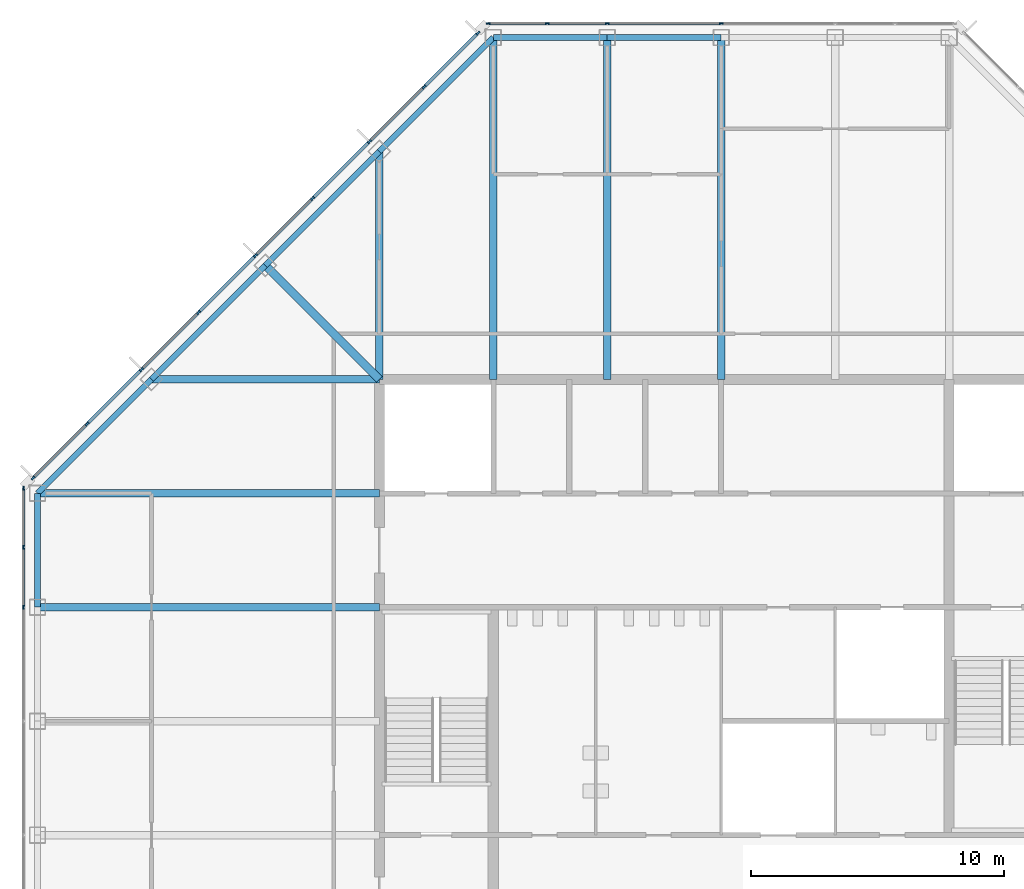
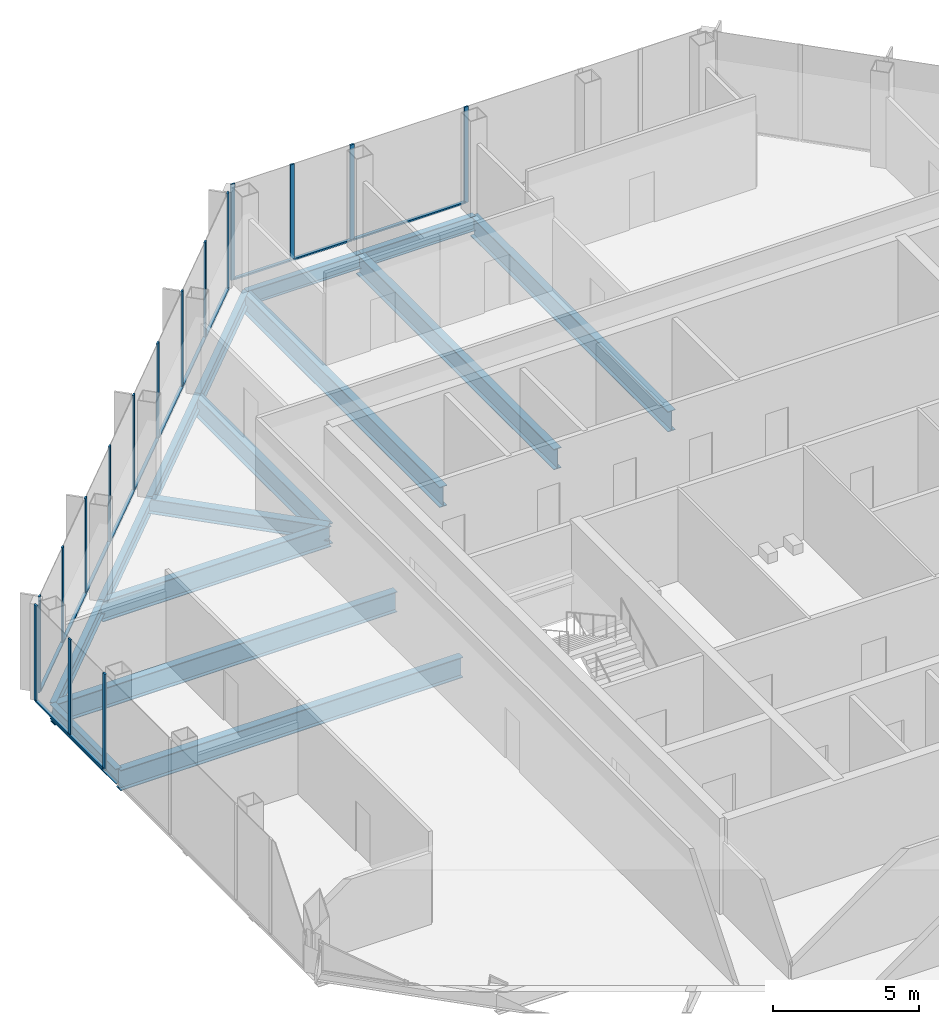
# One storey, part 6 of 13: 29 members, 15 beams, 3 elements without a shape of their own.
"""IFC4 building model written with IfcOpenShell, lengths in metres."""

import ifcopenshell
import ifcopenshell.guid

model = None  # the IFC model being written
_history = None  # IfcOwnerHistory: only IFC2X3 demands one
_inside = {}  # id of a spatial element -> (the spatial element, [elements in it])
_under = {}  # id of a project, library or spatial element -> (it, [spatial elements below it])
_declared = {}  # id of a project -> (the project, [libraries it declares])
_typed = {}  # id of a type object -> (the type object, [elements of that type])
_made_of = {}  # id of a material, layer set ... -> (it, [elements and type objects made of it])


def new_model(schema):
    """Start an empty IFC model of exactly this schema.

    Asked for "IFC4X3", IfcOpenShell would pick the latest addendum, in which some entities
    have other attributes; the version numbers below select the first issue.
    IFC2X3 requires an IfcOwnerHistory on every rooted entity: one is made here for all.
    """
    global model, _history
    if schema == "IFC4X3":
        model = ifcopenshell.file(schema_version=(4, 3, 0, 0))
    else:
        model = ifcopenshell.file(schema=schema)
    _inside.clear()
    _under.clear()
    _declared.clear()
    _typed.clear()
    _made_of.clear()
    _history = None
    if model.schema == "IFC2X3":
        org = make("IfcOrganization", Name="unknown")
        user = make(
            "IfcPersonAndOrganization",
            ThePerson=make("IfcPerson", FamilyName="unknown"),
            TheOrganization=org,
        )
        app = make(
            "IfcApplication",
            ApplicationDeveloper=org,
            Version="unknown",
            ApplicationFullName="unknown",
            ApplicationIdentifier="unknown",
        )
        _history = make(
            "IfcOwnerHistory",
            OwningUser=user,
            OwningApplication=app,
            ChangeAction="ADDED",
            CreationDate=0,
        )
    return model


def make(cls, **values):
    """One entity of the class cls with the attributes given. An attribute that is None is left unset."""
    return model.create_entity(
        cls, **{name: value for name, value in values.items() if value is not None}
    )


def rooted(cls, **values):
    """An entity with a GlobalId (a new one), such as an element, a storey or a relation."""
    return make(cls, GlobalId=ifcopenshell.guid.new(), OwnerHistory=_history, **values)


def si_unit(unit_type, name, prefix=None):
    """IfcSIUnit, for example si_unit("LENGTHUNIT", "METRE", prefix="MILLI")."""
    return make("IfcSIUnit", UnitType=unit_type, Prefix=prefix, Name=name)


def assignment(units):
    """IfcUnitAssignment: the units of a project."""
    return None if units is None else make("IfcUnitAssignment", Units=units)


def point(xyz):
    """IfcCartesianPoint."""
    return None if xyz is None else make("IfcCartesianPoint", Coordinates=xyz)


def direction(xyz):
    """IfcDirection."""
    return None if xyz is None else make("IfcDirection", DirectionRatios=xyz)


def frame(location, z_axis=None, x_axis=None):
    """IfcAxis2Placement3D, a coordinate frame: its origin and axes. An axis left out is left unset."""
    return make(
        "IfcAxis2Placement3D",
        Location=point(location),
        Axis=direction(z_axis),
        RefDirection=direction(x_axis),
    )


def frame_2d(location, x_axis=None):
    """IfcAxis2Placement2D, a coordinate frame in the plane: its origin and x axis."""
    return make(
        "IfcAxis2Placement2D", Location=point(location), RefDirection=direction(x_axis)
    )


def origin():
    """The frame at (0, 0, 0) with its axes left unset."""
    return frame((0.0, 0.0, 0.0))


def origin_2d():
    """The frame at (0, 0) in the plane with its x axis left unset."""
    return frame_2d((0.0, 0.0))


def place(relative_to, where):
    """IfcLocalPlacement: puts the frame where relative to a parent placement (None: the world)."""
    return make(
        "IfcLocalPlacement", PlacementRelTo=relative_to, RelativePlacement=where
    )


def context(
    kind, dimensions, precision=None, world=None, true_north=None, identifier=None
):
    """IfcGeometricRepresentationContext, for example the 3D "Model" context."""
    return make(
        "IfcGeometricRepresentationContext",
        ContextIdentifier=identifier,
        ContextType=kind,
        CoordinateSpaceDimension=dimensions,
        Precision=precision,
        WorldCoordinateSystem=world,
        TrueNorth=true_north,
    )


def subcontext(parent, identifier, kind, view, scale=None):
    """IfcGeometricRepresentationSubContext, for example "Body" below "Model"."""
    return make(
        "IfcGeometricRepresentationSubContext",
        ContextIdentifier=identifier,
        ContextType=kind,
        ParentContext=parent,
        TargetScale=scale,
        TargetView=view,
    )


def project(units=None, contexts=None):
    """IfcProject with its units and contexts."""
    return rooted(
        "IfcProject",
        Name="project",
        RepresentationContexts=contexts,
        UnitsInContext=assignment(units),
    )


def spatial(cls, under=None, at=None, **own):
    """A site, building, storey or space (cls), placed at a placement, below another one or the project."""
    s = rooted(cls, ObjectPlacement=at, **own)
    if under is not None:
        _under.setdefault(under.id(), (under, []))[1].append(s)
    return s


def profile(cls, at=None, kind="AREA", **sizes):
    """A parametric profile (cls). Its sizes go by their IFC names, for example OverallWidth=200.0."""
    return make(cls, ProfileType=kind, Position=at, **sizes)


def rectangle(**sizes):
    """IfcRectangleProfileDef."""
    return profile("IfcRectangleProfileDef", **sizes)


def i_section(**sizes):
    """IfcIShapeProfileDef."""
    return profile("IfcIShapeProfileDef", **sizes)


def extrude(swept, where, along, depth):
    """IfcExtrudedAreaSolid: the profile swept, set in the frame where, extruded along a direction by depth."""
    return make(
        "IfcExtrudedAreaSolid",
        SweptArea=swept,
        Position=where,
        ExtrudedDirection=direction(along),
        Depth=depth,
    )


def shape(context_of_items, identifier, shape_type, items):
    """IfcShapeRepresentation: the items that make up one representation, for example the "Body"."""
    return make(
        "IfcShapeRepresentation",
        ContextOfItems=context_of_items,
        RepresentationIdentifier=identifier,
        RepresentationType=shape_type,
        Items=items,
    )


def material(Name=None, Category=None):
    """IfcMaterial."""
    return make("IfcMaterial", Name=Name, Category=Category)


def material_profile(
    of_material, cross_section, Name=None, Category=None, Priority=None
):
    """IfcMaterialProfile: a cross section and its material."""
    return make(
        "IfcMaterialProfile",
        Name=Name,
        Material=of_material,
        Profile=cross_section,
        Priority=Priority,
        Category=Category,
    )


def profile_set(profiles, Name=None, composite=None):
    """IfcMaterialProfileSet."""
    return make(
        "IfcMaterialProfileSet",
        Name=Name,
        MaterialProfiles=profiles,
        CompositeProfile=composite,
    )


def made_of(thing, what):
    """Note that an element or type object is made of a material, layer set ...; save() writes the relation."""
    if what is not None:
        _made_of.setdefault(what.id(), (what, []))[1].append(thing)
    return thing


def type_object(cls, material=None, **own):
    """A type object (cls), such as IfcWallType, which elements share."""
    return made_of(rooted(cls, **own), material)


def element(
    cls,
    number,
    at=None,
    inside=None,
    cuts=None,
    type_object=None,
    material=None,
    context=None,
    identifier="Body",
    shape_type=None,
    held_by="IfcProductDefinitionShape",
    body=None,
    shapes=None,
    **own,
):
    """One element of the class cls, such as IfcWall. Its Tag is "e" and its number.

    at: its placement. inside: the storey or other place that contains it. cuts: it is an
    opening in that element (IfcRelVoidsElement). A single representation is given by context,
    identifier, shape_type and body (its items); several are given by shapes. held_by: the class
    of the entity that holds the representations. save() writes the other relations.
    """
    e = rooted(cls, Tag="e%d" % number, ObjectPlacement=at, **own)
    if body is not None:
        shapes = [shape(context, identifier, shape_type, body)]
    if shapes is not None:
        e.Representation = make(held_by, Representations=shapes)
    if inside is not None:
        _inside.setdefault(inside.id(), (inside, []))[1].append(e)
    if cuts is not None:
        rooted(
            "IfcRelVoidsElement", RelatingBuildingElement=cuts, RelatedOpeningElement=e
        )
    if type_object is not None:
        _typed.setdefault(type_object.id(), (type_object, []))[1].append(e)
    return made_of(e, material)


def aggregate(whole, parts):
    """IfcRelAggregates: a whole, such as a stair, and the parts it consists of."""
    return rooted("IfcRelAggregates", RelatingObject=whole, RelatedObjects=parts)


def save(model, path):
    """Write the relations noted so far, then the file.

    IfcRelAggregates (storeys below a building ...), IfcRelContainedInSpatialStructure (elements
    in a storey), IfcRelDefinesByType, IfcRelAssociatesMaterial and IfcRelDeclares: one each for
    every whole, place, type object, material and project.
    """
    for whole, parts in _under.values():
        aggregate(whole, parts)
    for where, things in _inside.values():
        rooted(
            "IfcRelContainedInSpatialStructure",
            RelatedElements=things,
            RelatingStructure=where,
        )
    for kind, things in _typed.values():
        rooted("IfcRelDefinesByType", RelatedObjects=things, RelatingType=kind)
    for what, things in _made_of.values():
        rooted("IfcRelAssociatesMaterial", RelatedObjects=things, RelatingMaterial=what)
    for by, libraries in _declared.values():
        rooted("IfcRelDeclares", RelatingContext=by, RelatedDefinitions=libraries)
    model.write(path)


model = new_model("IFC4")

# Units and contexts
model_context = context("Model", 3, precision=1e-05, world=origin(), true_north=direction((0.0, 1.0)))
body_context = subcontext(model_context, "Body", "Model", "MODEL_VIEW")
ifc_project = project(units=[si_unit("LENGTHUNIT", "METRE"), si_unit("AREAUNIT", "SQUARE_METRE"), si_unit("VOLUMEUNIT", "CUBIC_METRE"), si_unit("PLANEANGLEUNIT", "RADIAN"), si_unit("MASSUNIT", "GRAM", prefix="KILO")], contexts=[model_context])

# Site, building, storey
site_placement = place(None, origin())
site = spatial("IfcSite", under=ifc_project, at=site_placement, CompositionType="ELEMENT")
building_placement = place(site_placement, origin())
building = spatial("IfcBuilding", under=site, at=building_placement, Name="Corais Broadcast Tower", CompositionType="ELEMENT")
storey_placement = place(building_placement, frame((0.0, 0.0, 226.60009765625)))
storey = spatial("IfcBuildingStorey", under=building, at=storey_placement, Name="L52", CompositionType="ELEMENT", Elevation=226.60009765625)

# Beams
ifc_material_1 = material(Name="Steel ASTM A572 Grade 50", Category="steel")
ifc_material_profile_1 = material_profile(ifc_material_1, i_section(OverallWidth=0.323974609375, OverallDepth=0.611083984375, WebThickness=0.0126953125, FlangeThickness=0.01904296875, at=origin_2d()), Name="W610x155")
ifc_profile_set_1 = profile_set([ifc_material_profile_1], Name="Steel ASTM A572 Grade 50")
beam_type_1 = type_object("IfcBeamType", Name="Corner diagonal W610x155", PredefinedType="BEAM", material=ifc_profile_set_1)
beam_1_placement = place(storey_placement, frame((9.0, 45.0, -0.465576171875), z_axis=(0.707106781187, -0.707106781187, 0.0), x_axis=(0.707106781187, 0.707106781187, 0.0)))
element("IfcBeam", 1, at=beam_1_placement, inside=storey, type_object=beam_type_1, Name="B6 L/5 to K/6", PredefinedType="BEAM", context=body_context, shape_type="SweptSolid", body=[
    extrude(i_section(OverallWidth=0.323974609375, OverallDepth=0.611083984375, WebThickness=0.0126953125, FlangeThickness=0.01904296875, at=origin_2d()), origin(), (0.0, 0.0, 1.0), 6.364013671875),
])
ifc_material_2 = material(Name="Steel ASTM A572 Grade 50", Category="steel")
ifc_material_profile_2 = material_profile(ifc_material_2, i_section(OverallWidth=0.2939453125, OverallDepth=0.85107421875, WebThickness=0.01611328125, FlangeThickness=0.02685546875, at=origin_2d()), Name="W840x226")
ifc_profile_set_2 = profile_set([ifc_material_profile_2], Name="Steel ASTM A572 Grade 50")
beam_type_2 = type_object("IfcBeamType", Name="Floor beam W840x226", PredefinedType="BEAM", material=ifc_profile_set_2)
for number, where, z_axis, x_axis, name in (
    (2, (0.0, 31.5, -0.585693359375), (1.0, 0.0, 0.0), (0.0, 1.0, 0.0), "B1 H/3 to H/6"),
    (3, (0.0, 36.0, -0.585693359375), (1.0, 0.0, 0.0), (0.0, 1.0, 0.0), "B1 J/3 to J/6"),
):
    element("IfcBeam", number, at=place(storey_placement, frame(where, z_axis=z_axis, x_axis=x_axis)), inside=storey, type_object=beam_type_2, Name=name, PredefinedType="BEAM", context=body_context, shape_type="SweptSolid", body=[
        extrude(i_section(OverallWidth=0.2939453125, OverallDepth=0.85107421875, WebThickness=0.01611328125, FlangeThickness=0.02685546875, at=origin_2d()), origin(), (0.0, 0.0, 1.0), 13.5),
    ])
beam_2_placement = place(storey_placement, frame((13.5, 49.5, -0.585693359375), z_axis=(0.0, -1.0, 0.0), x_axis=(1.0, 0.0, 0.0)))
element("IfcBeam", 4, at=beam_2_placement, inside=storey, type_object=beam_type_2, Name="B1 M/6 to K/6", PredefinedType="BEAM", context=body_context, shape_type="SweptSolid", body=[
    extrude(i_section(OverallWidth=0.2939453125, OverallDepth=0.85107421875, WebThickness=0.01611328125, FlangeThickness=0.02685546875, at=origin_2d()), origin(), (0.0, 0.0, 1.0), 9.0),
])
for number, where, z_axis, x_axis, name in (
    (5, (18.0, 54.0, -0.585693359375), (0.0, -1.0, 0.0), (1.0, 0.0, 0.0), "B1 N/7 to K/7"),
    (6, (22.5, 54.0, -0.585693359375), (0.0, -1.0, 0.0), (1.0, 0.0, 0.0), "B1 N/8 to K/8"),
    (7, (27.0, 54.0, -0.585693359375), (0.0, -1.0, 0.0), (1.0, 0.0, 0.0), "B1 N/9 to K/9"),
):
    element("IfcBeam", number, at=place(storey_placement, frame(where, z_axis=z_axis, x_axis=x_axis)), inside=storey, type_object=beam_type_2, Name=name, PredefinedType="BEAM", context=body_context, shape_type="SweptSolid", body=[
        extrude(i_section(OverallWidth=0.2939453125, OverallDepth=0.85107421875, WebThickness=0.01611328125, FlangeThickness=0.02685546875, at=origin_2d()), origin(), (0.0, 0.0, 1.0), 13.5),
    ])
beam_3_placement = place(storey_placement, frame((4.5, 40.5, -0.585693359375), z_axis=(1.0, 0.0, 0.0), x_axis=(0.0, 1.0, 0.0)))
element("IfcBeam", 8, at=beam_3_placement, inside=storey, type_object=beam_type_2, Name="B1 K/4 to K/6", PredefinedType="BEAM", context=body_context, shape_type="SweptSolid", body=[
    extrude(i_section(OverallWidth=0.2939453125, OverallDepth=0.85107421875, WebThickness=0.01611328125, FlangeThickness=0.02685546875, at=origin_2d()), origin(), (0.0, 0.0, 1.0), 9.0),
])

# Curtain wall, members
ifc_material_3 = material(Name="Aluminium and glass", Category="aluminium")
curtain_wall_type = type_object("IfcCurtainWallType", Name="Unitised fritted curtain wall CW3", PredefinedType="NOTDEFINED", material=ifc_material_3)
curtain_wall_1_placement = place(storey_placement, origin())
curtain_wall_1 = element("IfcCurtainWall", 9, at=curtain_wall_1_placement, inside=storey, type_object=curtain_wall_type, Name="CW3 curtain wall L52 2", PredefinedType="NOTDEFINED")
ifc_material_4 = material(Name="Aluminium 6063-T6", Category="aluminium")
ifc_material_profile_3 = material_profile(ifc_material_4, rectangle(XDim=0.06494140625, YDim=0.159912109375, at=origin_2d()), Name="Mullion CW3 65x160")
ifc_profile_set_3 = profile_set([ifc_material_profile_3], Name="Aluminium 6063-T6")
member_type_1 = type_object("IfcMemberType", Name="Mullion CW3 65x160", PredefinedType="MULLION", material=ifc_profile_set_3)
member_1_placement = place(storey_placement, frame((-0.550048828125, 31.5, 0.0), z_axis=(0.0, 0.0, 1.0), x_axis=(-1.0, 0.0, 0.0)))
member_1 = element("IfcMember", 10, at=member_1_placement, type_object=member_type_1, Name="CW3 mullion 5", PredefinedType="MULLION", context=body_context, shape_type="SweptSolid", body=[
    extrude(rectangle(XDim=0.06494140625, YDim=0.159912109375, at=origin_2d()), origin(), (0.0, 0.0, 1.0), 4.0),
])
member_2_placement = place(storey_placement, frame((-0.550048828125, 33.864013671875, 0.0), z_axis=(0.0, 0.0, 1.0), x_axis=(-1.0, 0.0, 0.0)))
member_2 = element("IfcMember", 11, at=member_2_placement, type_object=member_type_1, Name="CW3 mullion 6", PredefinedType="MULLION", context=body_context, shape_type="SweptSolid", body=[
    extrude(rectangle(XDim=0.06494140625, YDim=0.159912109375, at=origin_2d()), origin(), (0.0, 0.0, 1.0), 4.0),
])
member_3_placement = place(storey_placement, frame((-0.550048828125, 36.1953125, 0.0), z_axis=(0.0, 0.0, 1.0), x_axis=(-1.0, 0.0, 0.0)))
member_3 = element("IfcMember", 12, at=member_3_placement, type_object=member_type_1, Name="CW3 mullion 7", PredefinedType="MULLION", context=body_context, shape_type="SweptSolid", body=[
    extrude(rectangle(XDim=0.06494140625, YDim=0.159912109375, at=origin_2d()), origin(), (0.0, 0.0, 1.0), 4.0),
])

curtain_wall_2_placement = place(storey_placement, origin())
curtain_wall_2 = element("IfcCurtainWall", 13, at=curtain_wall_2_placement, inside=storey, type_object=curtain_wall_type, Name="CW3 curtain wall L52 3", PredefinedType="NOTDEFINED")
member_4_placement = place(storey_placement, frame((-0.17333984375, 36.6044921875, 0.0), z_axis=(0.0, 0.0, 1.0), x_axis=(-0.707106781187, 0.707106781187, 0.0)))
member_4 = element("IfcMember", 14, at=member_4_placement, type_object=member_type_1, Name="CW3 mullion 1", PredefinedType="MULLION", context=body_context, shape_type="SweptSolid", body=[
    extrude(rectangle(XDim=0.06494140625, YDim=0.159912109375, at=origin_2d()), origin(), (0.0, 0.0, 1.0), 4.0),
])
member_5_placement = place(storey_placement, frame((1.957275390625, 38.735107421875, 0.0), z_axis=(0.0, 0.0, 1.0), x_axis=(-0.707106781187, 0.707106781187, 0.0)))
member_5 = element("IfcMember", 15, at=member_5_placement, type_object=member_type_1, Name="CW3 mullion 2", PredefinedType="MULLION", context=body_context, shape_type="SweptSolid", body=[
    extrude(rectangle(XDim=0.06494140625, YDim=0.159912109375, at=origin_2d()), origin(), (0.0, 0.0, 1.0), 4.0),
])
member_6_placement = place(storey_placement, frame((4.111083984375, 40.888916015625, 0.0), z_axis=(0.0, 0.0, 1.0), x_axis=(-0.707106781187, 0.707106781187, 0.0)))
member_6 = element("IfcMember", 16, at=member_6_placement, type_object=member_type_1, Name="CW3 mullion 3", PredefinedType="MULLION", context=body_context, shape_type="SweptSolid", body=[
    extrude(rectangle(XDim=0.06494140625, YDim=0.159912109375, at=origin_2d()), origin(), (0.0, 0.0, 1.0), 4.0),
])
member_7_placement = place(storey_placement, frame((6.361083984375, 43.138916015625, 0.0), z_axis=(0.0, 0.0, 1.0), x_axis=(-0.707106781187, 0.707106781187, 0.0)))
member_7 = element("IfcMember", 17, at=member_7_placement, type_object=member_type_1, Name="CW3 mullion 4", PredefinedType="MULLION", context=body_context, shape_type="SweptSolid", body=[
    extrude(rectangle(XDim=0.06494140625, YDim=0.159912109375, at=origin_2d()), origin(), (0.0, 0.0, 1.0), 4.0),
])
member_8_placement = place(storey_placement, frame((8.611083984375, 45.388916015625, 0.0), z_axis=(0.0, 0.0, 1.0), x_axis=(-0.707106781187, 0.707106781187, 0.0)))
member_8 = element("IfcMember", 18, at=member_8_placement, type_object=member_type_1, Name="CW3 mullion 5", PredefinedType="MULLION", context=body_context, shape_type="SweptSolid", body=[
    extrude(rectangle(XDim=0.06494140625, YDim=0.159912109375, at=origin_2d()), origin(), (0.0, 0.0, 1.0), 4.0),
])
member_9_placement = place(storey_placement, frame((10.861083984375, 47.638916015625, 0.0), z_axis=(0.0, 0.0, 1.0), x_axis=(-0.707106781187, 0.707106781187, 0.0)))
member_9 = element("IfcMember", 19, at=member_9_placement, type_object=member_type_1, Name="CW3 mullion 6", PredefinedType="MULLION", context=body_context, shape_type="SweptSolid", body=[
    extrude(rectangle(XDim=0.06494140625, YDim=0.159912109375, at=origin_2d()), origin(), (0.0, 0.0, 1.0), 4.0),
])
member_10_placement = place(storey_placement, frame((13.111083984375, 49.888916015625, 0.0), z_axis=(0.0, 0.0, 1.0), x_axis=(-0.707106781187, 0.707106781187, 0.0)))
member_10 = element("IfcMember", 20, at=member_10_placement, type_object=member_type_1, Name="CW3 mullion 7", PredefinedType="MULLION", context=body_context, shape_type="SweptSolid", body=[
    extrude(rectangle(XDim=0.06494140625, YDim=0.159912109375, at=origin_2d()), origin(), (0.0, 0.0, 1.0), 4.0),
])
member_11_placement = place(storey_placement, frame((15.264892578125, 52.042724609375, 0.0), z_axis=(0.0, 0.0, 1.0), x_axis=(-0.707106781187, 0.707106781187, 0.0)))
member_11 = element("IfcMember", 21, at=member_11_placement, type_object=member_type_1, Name="CW3 mullion 8", PredefinedType="MULLION", context=body_context, shape_type="SweptSolid", body=[
    extrude(rectangle(XDim=0.06494140625, YDim=0.159912109375, at=origin_2d()), origin(), (0.0, 0.0, 1.0), 4.0),
])
member_12_placement = place(storey_placement, frame((17.3955078125, 54.17333984375, 0.0), z_axis=(0.0, 0.0, 1.0), x_axis=(-0.707106781187, 0.707106781187, 0.0)))
member_12 = element("IfcMember", 22, at=member_12_placement, type_object=member_type_1, Name="CW3 mullion 9", PredefinedType="MULLION", context=body_context, shape_type="SweptSolid", body=[
    extrude(rectangle(XDim=0.06494140625, YDim=0.159912109375, at=origin_2d()), origin(), (0.0, 0.0, 1.0), 4.0),
])

curtain_wall_3_placement = place(storey_placement, origin())
curtain_wall_3 = element("IfcCurtainWall", 23, at=curtain_wall_3_placement, inside=storey, type_object=curtain_wall_type, Name="CW3 curtain wall L52 4", PredefinedType="NOTDEFINED")
member_13_placement = place(storey_placement, frame((17.8046875, 54.550048828125, 0.0), z_axis=(0.0, 0.0, 1.0), x_axis=(0.0, 1.0, 0.0)))
member_13 = element("IfcMember", 24, at=member_13_placement, type_object=member_type_1, Name="CW3 mullion 1", PredefinedType="MULLION", context=body_context, shape_type="SweptSolid", body=[
    extrude(rectangle(XDim=0.06494140625, YDim=0.159912109375, at=origin_2d()), origin(), (0.0, 0.0, 1.0), 4.0),
])
member_14_placement = place(storey_placement, frame((20.135986328125, 54.550048828125, 0.0), z_axis=(0.0, 0.0, 1.0), x_axis=(0.0, 1.0, 0.0)))
member_14 = element("IfcMember", 25, at=member_14_placement, type_object=member_type_1, Name="CW3 mullion 2", PredefinedType="MULLION", context=body_context, shape_type="SweptSolid", body=[
    extrude(rectangle(XDim=0.06494140625, YDim=0.159912109375, at=origin_2d()), origin(), (0.0, 0.0, 1.0), 4.0),
])
member_15_placement = place(storey_placement, frame((22.5, 54.550048828125, 0.0), z_axis=(0.0, 0.0, 1.0), x_axis=(0.0, 1.0, 0.0)))
member_15 = element("IfcMember", 26, at=member_15_placement, type_object=member_type_1, Name="CW3 mullion 3", PredefinedType="MULLION", context=body_context, shape_type="SweptSolid", body=[
    extrude(rectangle(XDim=0.06494140625, YDim=0.159912109375, at=origin_2d()), origin(), (0.0, 0.0, 1.0), 4.0),
])
member_16_placement = place(storey_placement, frame((27.0, 54.550048828125, 0.0), z_axis=(0.0, 0.0, 1.0), x_axis=(0.0, 1.0, 0.0)))
member_16 = element("IfcMember", 27, at=member_16_placement, type_object=member_type_1, Name="CW3 mullion 4", PredefinedType="MULLION", context=body_context, shape_type="SweptSolid", body=[
    extrude(rectangle(XDim=0.06494140625, YDim=0.159912109375, at=origin_2d()), origin(), (0.0, 0.0, 1.0), 4.0),
])

# Beams
ifc_material_5 = material(Name="Steel ASTM A572 Grade 50", Category="steel")
ifc_material_profile_4 = material_profile(ifc_material_5, i_section(OverallWidth=0.22998046875, OverallDepth=0.616943359375, WebThickness=0.01318359375, FlangeThickness=0.022216796875, at=origin_2d()), Name="W610x140")
ifc_profile_set_4 = profile_set([ifc_material_profile_4], Name="Steel ASTM A572 Grade 50")
beam_type_3 = type_object("IfcBeamType", Name="Spandrel W610x140", PredefinedType="BEAM", material=ifc_profile_set_4)
beam_4_placement = place(storey_placement, frame((0.0, 36.0, -0.468505859375), z_axis=(0.0, -1.0, 0.0), x_axis=(1.0, 0.0, 0.0)))
element("IfcBeam", 28, at=beam_4_placement, inside=storey, type_object=beam_type_3, Name="SB3 J/3 to H/3", PredefinedType="BEAM", context=body_context, shape_type="SweptSolid", body=[
    extrude(i_section(OverallWidth=0.22998046875, OverallDepth=0.616943359375, WebThickness=0.01318359375, FlangeThickness=0.022216796875, at=origin_2d()), origin(), (0.0, 0.0, 1.0), 4.5),
])
for number, where, z_axis, x_axis, name in (
    (29, (13.5, 49.5, -0.468505859375), (-0.707106781187, -0.707106781187, 0.0), (0.707106781187, -0.707106781187, 0.0), "SB3 M/6 to L/5"),
    (30, (18.0, 54.0, -0.468505859375), (-0.707106781187, -0.707106781187, 0.0), (0.707106781187, -0.707106781187, 0.0), "SB3 N/7 to M/6"),
):
    element("IfcBeam", number, at=place(storey_placement, frame(where, z_axis=z_axis, x_axis=x_axis)), inside=storey, type_object=beam_type_3, Name=name, PredefinedType="BEAM", context=body_context, shape_type="SweptSolid", body=[
        extrude(i_section(OverallWidth=0.22998046875, OverallDepth=0.616943359375, WebThickness=0.01318359375, FlangeThickness=0.022216796875, at=origin_2d()), origin(), (0.0, 0.0, 1.0), 6.364013671875),
    ])
for number, where, z_axis, x_axis, name in (
    (31, (22.5, 54.0, -0.468505859375), (-1.0, 0.0, 0.0), (0.0, -1.0, 0.0), "SB3 N/8 to N/7"),
    (32, (27.0, 54.0, -0.468505859375), (-1.0, 0.0, 0.0), (0.0, -1.0, 0.0), "SB3 N/9 to N/8"),
):
    element("IfcBeam", number, at=place(storey_placement, frame(where, z_axis=z_axis, x_axis=x_axis)), inside=storey, type_object=beam_type_3, Name=name, PredefinedType="BEAM", context=body_context, shape_type="SweptSolid", body=[
        extrude(i_section(OverallWidth=0.22998046875, OverallDepth=0.616943359375, WebThickness=0.01318359375, FlangeThickness=0.022216796875, at=origin_2d()), origin(), (0.0, 0.0, 1.0), 4.5),
    ])
for number, where, z_axis, x_axis, name in (
    (33, (4.5, 40.5, -0.468505859375), (-0.707106781187, -0.707106781187, 0.0), (0.707106781187, -0.707106781187, 0.0), "SB3 K/4 to J/3"),
    (34, (9.0, 45.0, -0.468505859375), (-0.707106781187, -0.707106781187, 0.0), (0.707106781187, -0.707106781187, 0.0), "SB3 L/5 to K/4"),
):
    element("IfcBeam", number, at=place(storey_placement, frame(where, z_axis=z_axis, x_axis=x_axis)), inside=storey, type_object=beam_type_3, Name=name, PredefinedType="BEAM", context=body_context, shape_type="SweptSolid", body=[
        extrude(i_section(OverallWidth=0.22998046875, OverallDepth=0.616943359375, WebThickness=0.01318359375, FlangeThickness=0.022216796875, at=origin_2d()), origin(), (0.0, 0.0, 1.0), 6.364013671875),
    ])

# Member
ifc_material_6 = material(Name="Aluminium 6063-T6", Category="aluminium")
ifc_material_profile_5 = material_profile(ifc_material_6, rectangle(XDim=0.1201171875, YDim=0.06494140625, at=origin_2d()), Name="Transom CW3 65x120")
ifc_profile_set_5 = profile_set([ifc_material_profile_5], Name="Aluminium 6063-T6")
member_type_2 = type_object("IfcMemberType", Name="Transom CW3 65x120", PredefinedType="USERDEFINED", material=ifc_profile_set_5)
member_17_placement = place(storey_placement, frame((-0.550048828125, 31.532470703125, 0.032470703125), z_axis=(0.0, 1.0, 0.0), x_axis=(-1.0, 0.0, 0.0)))
member_17 = element("IfcMember", 35, at=member_17_placement, type_object=member_type_2, Name="CW3 transom 5.1", ObjectType="TRANSOM", PredefinedType="USERDEFINED", context=body_context, shape_type="SweptSolid", body=[
    extrude(rectangle(XDim=0.1201171875, YDim=0.06494140625, at=origin_2d()), origin(), (0.0, 0.0, 1.0), 2.298828125),
])

member_18_placement = place(storey_placement, frame((-0.550048828125, 33.896484375, 0.032470703125), z_axis=(0.0, 1.0, 0.0), x_axis=(-1.0, 0.0, 0.0)))
member_18 = element("IfcMember", 36, at=member_18_placement, type_object=member_type_2, Name="CW3 transom 6.1", ObjectType="TRANSOM", PredefinedType="USERDEFINED", context=body_context, shape_type="SweptSolid", body=[
    extrude(rectangle(XDim=0.1201171875, YDim=0.06494140625, at=origin_2d()), origin(), (0.0, 0.0, 1.0), 2.266357421875),
])

aggregate(curtain_wall_1, [member_1, member_2, member_3, member_17, member_18])

member_19_placement = place(storey_placement, frame((-0.150390625, 36.62744140625, 0.032470703125), z_axis=(0.707106781187, 0.707106781187, 0.0), x_axis=(-0.707106781187, 0.707106781187, 0.0)))
member_19 = element("IfcMember", 37, at=member_19_placement, type_object=member_type_2, Name="CW3 transom 1.1", ObjectType="TRANSOM", PredefinedType="USERDEFINED", context=body_context, shape_type="SweptSolid", body=[
    extrude(rectangle(XDim=0.1201171875, YDim=0.06494140625, at=origin_2d()), origin(), (0.0, 0.0, 1.0), 2.9482421875),
])

member_20_placement = place(storey_placement, frame((1.980224609375, 38.758056640625, 0.032470703125), z_axis=(0.707106781187, 0.707106781187, 0.0), x_axis=(-0.707106781187, 0.707106781187, 0.0)))
member_20 = element("IfcMember", 38, at=member_20_placement, type_object=member_type_2, Name="CW3 transom 2.1", ObjectType="TRANSOM", PredefinedType="USERDEFINED", context=body_context, shape_type="SweptSolid", body=[
    extrude(rectangle(XDim=0.1201171875, YDim=0.06494140625, at=origin_2d()), origin(), (0.0, 0.0, 1.0), 2.98095703125),
])

member_21_placement = place(storey_placement, frame((4.134033203125, 40.911865234375, 0.032470703125), z_axis=(0.707106781187, 0.707106781187, 0.0), x_axis=(-0.707106781187, 0.707106781187, 0.0)))
member_21 = element("IfcMember", 39, at=member_21_placement, type_object=member_type_2, Name="CW3 transom 3.1", ObjectType="TRANSOM", PredefinedType="USERDEFINED", context=body_context, shape_type="SweptSolid", body=[
    extrude(rectangle(XDim=0.1201171875, YDim=0.06494140625, at=origin_2d()), origin(), (0.0, 0.0, 1.0), 3.1171875),
])

member_22_placement = place(storey_placement, frame((6.384033203125, 43.161865234375, 0.032470703125), z_axis=(0.707106781187, 0.707106781187, 0.0), x_axis=(-0.707106781187, 0.707106781187, 0.0)))
member_22 = element("IfcMember", 40, at=member_22_placement, type_object=member_type_2, Name="CW3 transom 4.1", ObjectType="TRANSOM", PredefinedType="USERDEFINED", context=body_context, shape_type="SweptSolid", body=[
    extrude(rectangle(XDim=0.1201171875, YDim=0.06494140625, at=origin_2d()), origin(), (0.0, 0.0, 1.0), 3.1171875),
])

member_23_placement = place(storey_placement, frame((8.634033203125, 45.411865234375, 0.032470703125), z_axis=(0.707106781187, 0.707106781187, 0.0), x_axis=(-0.707106781187, 0.707106781187, 0.0)))
member_23 = element("IfcMember", 41, at=member_23_placement, type_object=member_type_2, Name="CW3 transom 5.1", ObjectType="TRANSOM", PredefinedType="USERDEFINED", context=body_context, shape_type="SweptSolid", body=[
    extrude(rectangle(XDim=0.1201171875, YDim=0.06494140625, at=origin_2d()), origin(), (0.0, 0.0, 1.0), 3.1171875),
])

member_24_placement = place(storey_placement, frame((10.884033203125, 47.661865234375, 0.032470703125), z_axis=(0.707106781187, 0.707106781187, 0.0), x_axis=(-0.707106781187, 0.707106781187, 0.0)))
member_24 = element("IfcMember", 42, at=member_24_placement, type_object=member_type_2, Name="CW3 transom 6.1", ObjectType="TRANSOM", PredefinedType="USERDEFINED", context=body_context, shape_type="SweptSolid", body=[
    extrude(rectangle(XDim=0.1201171875, YDim=0.06494140625, at=origin_2d()), origin(), (0.0, 0.0, 1.0), 3.1171875),
])

member_25_placement = place(storey_placement, frame((13.134033203125, 49.911865234375, 0.032470703125), z_axis=(0.70714773134, 0.707065828661, 0.0), x_axis=(-0.707065828661, 0.70714773134, 0.0)))
member_25 = element("IfcMember", 43, at=member_25_placement, type_object=member_type_2, Name="CW3 transom 7.1", ObjectType="TRANSOM", PredefinedType="USERDEFINED", context=body_context, shape_type="SweptSolid", body=[
    extrude(rectangle(XDim=0.1201171875, YDim=0.06494140625, at=origin_2d()), origin(), (0.0, 0.0, 1.0), 2.98095703125),
])

member_26_placement = place(storey_placement, frame((15.287841796875, 52.065673828125, 0.032470703125), z_axis=(0.707106781187, 0.707106781187, 0.0), x_axis=(-0.707106781187, 0.707106781187, 0.0)))
member_26 = element("IfcMember", 44, at=member_26_placement, type_object=member_type_2, Name="CW3 transom 8.1", ObjectType="TRANSOM", PredefinedType="USERDEFINED", context=body_context, shape_type="SweptSolid", body=[
    extrude(rectangle(XDim=0.1201171875, YDim=0.06494140625, at=origin_2d()), origin(), (0.0, 0.0, 1.0), 2.9482421875),
])

aggregate(curtain_wall_2, [member_4, member_5, member_6, member_7, member_8, member_9, member_10, member_11, member_12, member_19, member_20, member_21, member_22, member_23, member_24, member_25, member_26])

member_27_placement = place(storey_placement, frame((17.837158203125, 54.550048828125, 0.032470703125), z_axis=(1.0, 0.0, 0.0), x_axis=(0.0, 1.0, 0.0)))
member_27 = element("IfcMember", 45, at=member_27_placement, type_object=member_type_2, Name="CW3 transom 1.1", ObjectType="TRANSOM", PredefinedType="USERDEFINED", context=body_context, shape_type="SweptSolid", body=[
    extrude(rectangle(XDim=0.1201171875, YDim=0.06494140625, at=origin_2d()), origin(), (0.0, 0.0, 1.0), 2.266357421875),
])

member_28_placement = place(storey_placement, frame((20.168701171875, 54.550048828125, 0.032470703125), z_axis=(1.0, 0.0, 0.0), x_axis=(0.0, 1.0, 0.0)))
member_28 = element("IfcMember", 46, at=member_28_placement, type_object=member_type_2, Name="CW3 transom 2.1", ObjectType="TRANSOM", PredefinedType="USERDEFINED", context=body_context, shape_type="SweptSolid", body=[
    extrude(rectangle(XDim=0.1201171875, YDim=0.06494140625, at=origin_2d()), origin(), (0.0, 0.0, 1.0), 2.298828125),
])

member_29_placement = place(storey_placement, frame((22.532470703125, 54.550048828125, 0.032470703125), z_axis=(1.0, 0.0, 0.0), x_axis=(0.0, 1.0, 0.0)))
member_29 = element("IfcMember", 47, at=member_29_placement, type_object=member_type_2, Name="CW3 transom 3.1", ObjectType="TRANSOM", PredefinedType="USERDEFINED", context=body_context, shape_type="SweptSolid", body=[
    extrude(rectangle(XDim=0.1201171875, YDim=0.06494140625, at=origin_2d()), origin(), (0.0, 0.0, 1.0), 4.43505859375),
])

aggregate(curtain_wall_3, [member_13, member_14, member_15, member_16, member_27, member_28, member_29])

save(model, "model.ifc")
